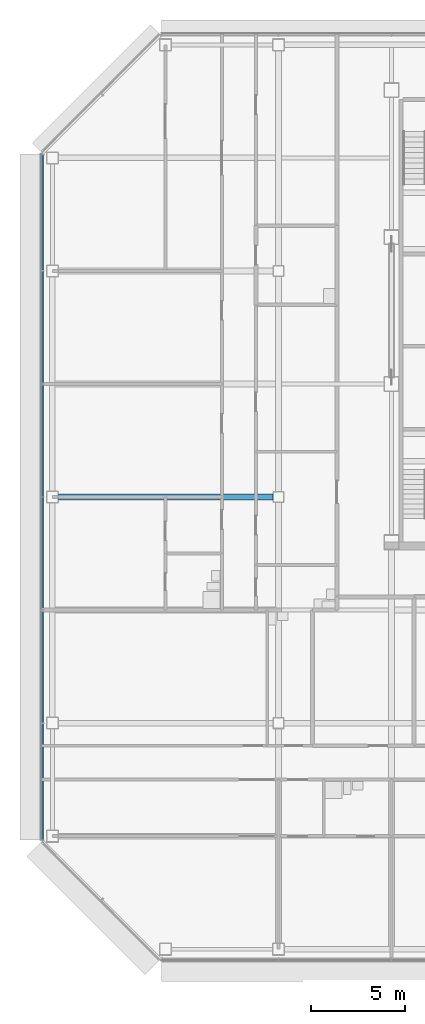
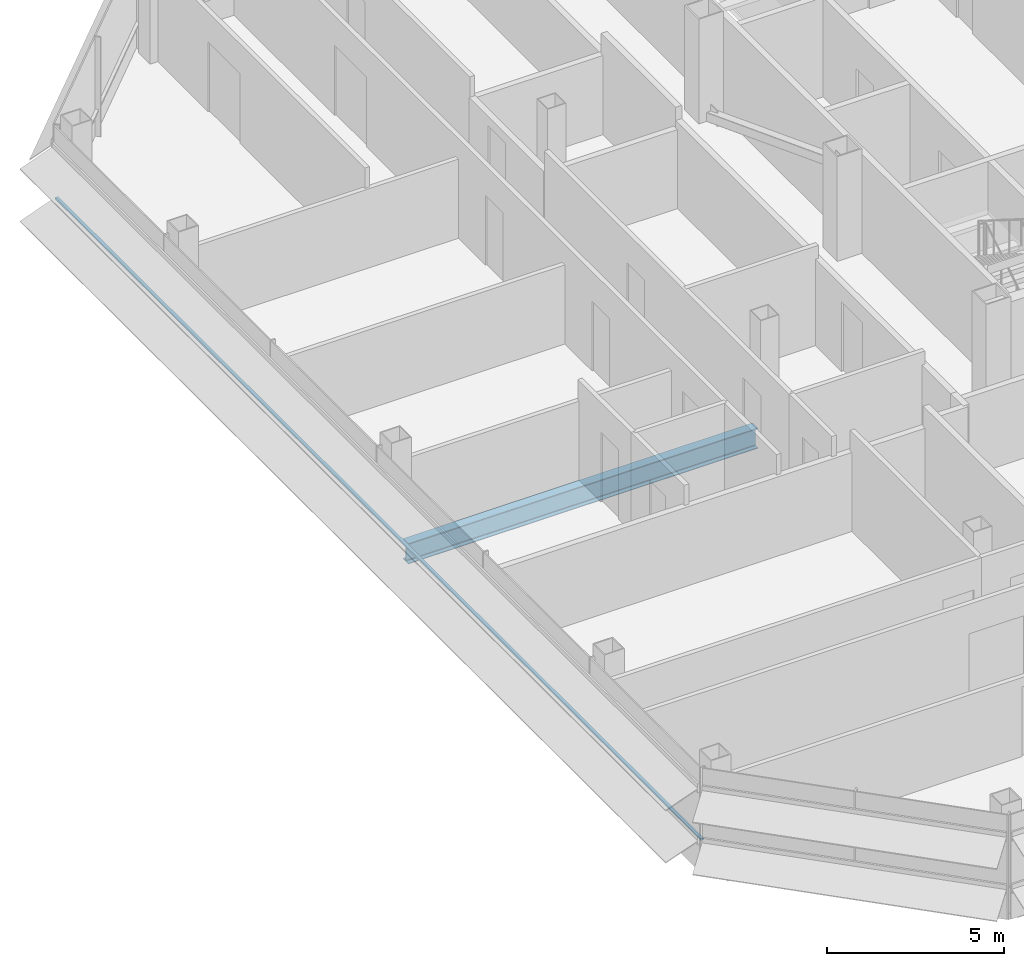
# One storey, part 5 of 26: 1 beam, 1 member, 1 element without a shape of its own.
"""IFC4 building model written with IfcOpenShell, lengths in metres."""

from ifc_helpers import new_model, si_unit, direction, frame, origin, origin_2d, place, context, subcontext, project, spatial, rectangle, i_section, extrude, material, material_profile, profile_set, type_object, element, aggregate, save


model = new_model("IFC4")

# Units and contexts
model_context = context("Model", 3, precision=1e-05, world=origin(), true_north=direction((0.0, 1.0)))
body_context = subcontext(model_context, "Body", "Model", "MODEL_VIEW")
ifc_project = project(units=[si_unit("LENGTHUNIT", "METRE"), si_unit("AREAUNIT", "SQUARE_METRE"), si_unit("VOLUMEUNIT", "CUBIC_METRE"), si_unit("PLANEANGLEUNIT", "RADIAN"), si_unit("MASSUNIT", "GRAM", prefix="KILO")], contexts=[model_context])

# Site, building, storey
site_placement = place(None, origin())
site = spatial("IfcSite", under=ifc_project, at=site_placement, CompositionType="ELEMENT")
building_placement = place(site_placement, origin())
building = spatial("IfcBuilding", under=site, at=building_placement, Name="Sorahane Residences", CompositionType="ELEMENT")
storey_placement = place(building_placement, frame((0.0, 0.0, 219.0)))
storey = spatial("IfcBuildingStorey", under=building, at=storey_placement, Name="L51", CompositionType="ELEMENT", Elevation=219.0)

# Curtain wall, member
ifc_material_1 = material(Name="Dark low-e glass and black anodised aluminium", Category="aluminium")
curtain_wall_type = type_object("IfcCurtainWallType", Name="Curtain wall CW-1 Typical unitised wall", PredefinedType="NOTDEFINED", material=ifc_material_1)
curtain_wall_placement = place(storey_placement, origin())
curtain_wall = element("IfcCurtainWall", 1, at=curtain_wall_placement, inside=storey, type_object=curtain_wall_type, Name="CW-1 curtain wall L51 W1", PredefinedType="NOTDEFINED")
ifc_material_2 = material(Name="Black anodised aluminium", Category="aluminium")
ifc_material_profile_1 = material_profile(ifc_material_2, rectangle(XDim=0.10009765625, YDim=0.06005859375, at=origin_2d()), Name="Curtain wall transom CW-1 black anodised aluminium 60x100")
ifc_profile_set_1 = profile_set([ifc_material_profile_1], Name="Black anodised aluminium")
member_type = type_object("IfcMemberType", Name="Curtain wall transom CW-1 black anodised aluminium 60x100", PredefinedType="USERDEFINED", material=ifc_profile_set_1)
member_placement = place(storey_placement, frame((-12.530029296875, 42.198486328125, 0.89990234375), z_axis=(0.0, -1.0, 0.0), x_axis=(1.0, 0.0, 0.0)))
member = element("IfcMember", 2, at=member_placement, type_object=member_type, Name="CW-1 transom L51 W1", ObjectType="TRANSOM", PredefinedType="USERDEFINED", context=body_context, shape_type="SweptSolid", body=[
    extrude(rectangle(XDim=0.10009765625, YDim=0.06005859375, at=origin_2d()), origin(), (0.0, 0.0, 1.0), 36.39697265625),
])
aggregate(curtain_wall, [member])

# Beam
ifc_material_3 = material(Name="Steel Q355B", Category="steel")
ifc_material_profile_2 = material_profile(ifc_material_3, i_section(OverallWidth=0.300048828125, OverallDepth=0.699951171875, WebThickness=0.012939453125, FlangeThickness=0.02392578125, FilletRadius=0.028076171875, at=origin_2d()), Name="HN 700x300x13x24")
ifc_profile_set_2 = profile_set([ifc_material_profile_2], Name="Steel Q355B")
beam_type = type_object("IfcBeamType", Name="Steel floor beam HN 700x300x13x24 Q355B", PredefinedType="BEAM", material=ifc_profile_set_2)
beam_placement = place(storey_placement, frame((-11.675048828125, 24.0, -0.530029296875), z_axis=(1.0, 0.0, 0.0), x_axis=(0.0, 1.0, 0.0)))
element("IfcBeam", 3, at=beam_placement, inside=storey, type_object=beam_type, Name="Beam L51 011", PredefinedType="BEAM", context=body_context, shape_type="SweptSolid", body=[
    extrude(i_section(OverallWidth=0.300048828125, OverallDepth=0.699951171875, WebThickness=0.012939453125, FlangeThickness=0.02392578125, FilletRadius=0.028076171875, at=origin_2d()), origin(), (0.0, 0.0, 1.0), 11.375),
])

save(model, "model.ifc")
